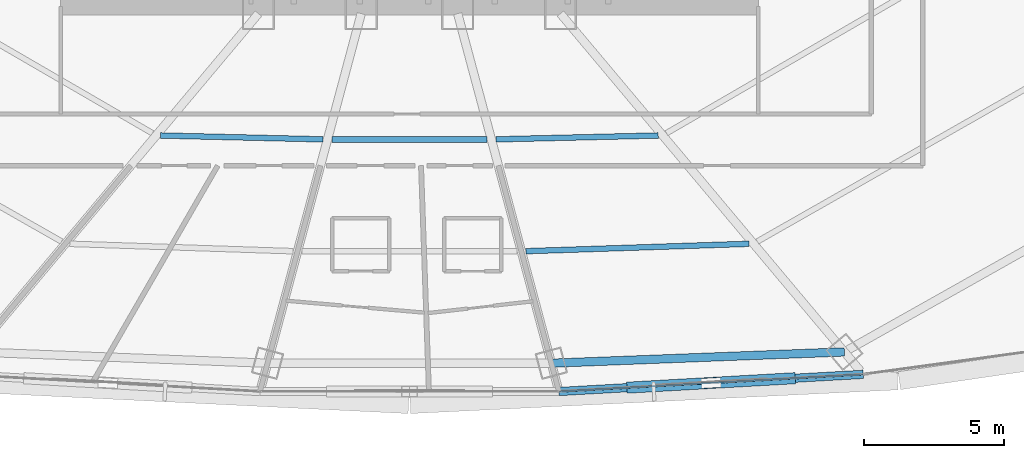
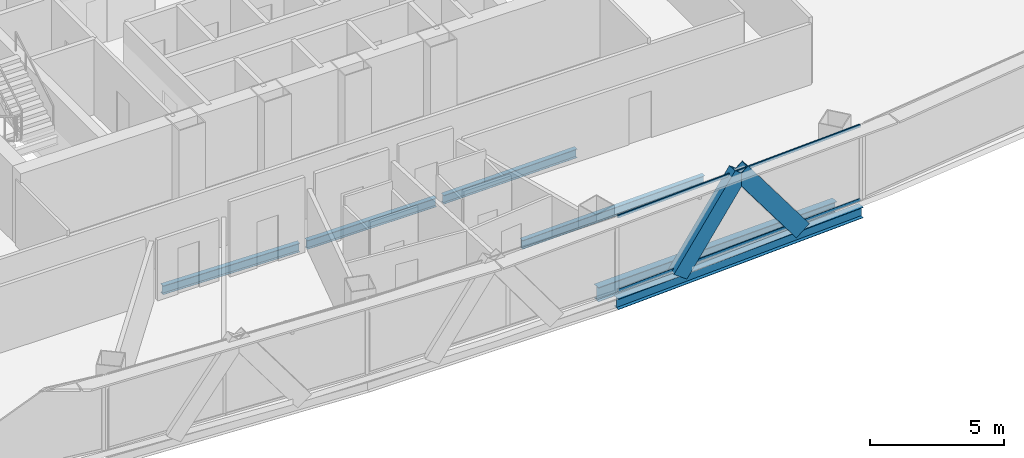
# One storey, part 13 of 39: 6 beams, 4 members, 1 element without a shape of its own.
"""IFC4 building model written with IfcOpenShell, lengths in metres."""

import ifcopenshell
import ifcopenshell.guid

model = None  # the IFC model being written
_history = None  # IfcOwnerHistory: only IFC2X3 demands one
_inside = {}  # id of a spatial element -> (the spatial element, [elements in it])
_under = {}  # id of a project, library or spatial element -> (it, [spatial elements below it])
_declared = {}  # id of a project -> (the project, [libraries it declares])
_typed = {}  # id of a type object -> (the type object, [elements of that type])
_made_of = {}  # id of a material, layer set ... -> (it, [elements and type objects made of it])


def new_model(schema):
    """Start an empty IFC model of exactly this schema.

    Asked for "IFC4X3", IfcOpenShell would pick the latest addendum, in which some entities
    have other attributes; the version numbers below select the first issue.
    IFC2X3 requires an IfcOwnerHistory on every rooted entity: one is made here for all.
    """
    global model, _history
    if schema == "IFC4X3":
        model = ifcopenshell.file(schema_version=(4, 3, 0, 0))
    else:
        model = ifcopenshell.file(schema=schema)
    _inside.clear()
    _under.clear()
    _declared.clear()
    _typed.clear()
    _made_of.clear()
    _history = None
    if model.schema == "IFC2X3":
        org = make("IfcOrganization", Name="unknown")
        user = make(
            "IfcPersonAndOrganization",
            ThePerson=make("IfcPerson", FamilyName="unknown"),
            TheOrganization=org,
        )
        app = make(
            "IfcApplication",
            ApplicationDeveloper=org,
            Version="unknown",
            ApplicationFullName="unknown",
            ApplicationIdentifier="unknown",
        )
        _history = make(
            "IfcOwnerHistory",
            OwningUser=user,
            OwningApplication=app,
            ChangeAction="ADDED",
            CreationDate=0,
        )
    return model


def make(cls, **values):
    """One entity of the class cls with the attributes given. An attribute that is None is left unset."""
    return model.create_entity(
        cls, **{name: value for name, value in values.items() if value is not None}
    )


def rooted(cls, **values):
    """An entity with a GlobalId (a new one), such as an element, a storey or a relation."""
    return make(cls, GlobalId=ifcopenshell.guid.new(), OwnerHistory=_history, **values)


def si_unit(unit_type, name, prefix=None):
    """IfcSIUnit, for example si_unit("LENGTHUNIT", "METRE", prefix="MILLI")."""
    return make("IfcSIUnit", UnitType=unit_type, Prefix=prefix, Name=name)


def assignment(units):
    """IfcUnitAssignment: the units of a project."""
    return None if units is None else make("IfcUnitAssignment", Units=units)


def point(xyz):
    """IfcCartesianPoint."""
    return None if xyz is None else make("IfcCartesianPoint", Coordinates=xyz)


def direction(xyz):
    """IfcDirection."""
    return None if xyz is None else make("IfcDirection", DirectionRatios=xyz)


def frame(location, z_axis=None, x_axis=None):
    """IfcAxis2Placement3D, a coordinate frame: its origin and axes. An axis left out is left unset."""
    return make(
        "IfcAxis2Placement3D",
        Location=point(location),
        Axis=direction(z_axis),
        RefDirection=direction(x_axis),
    )


def frame_2d(location, x_axis=None):
    """IfcAxis2Placement2D, a coordinate frame in the plane: its origin and x axis."""
    return make(
        "IfcAxis2Placement2D", Location=point(location), RefDirection=direction(x_axis)
    )


def origin():
    """The frame at (0, 0, 0) with its axes left unset."""
    return frame((0.0, 0.0, 0.0))


def origin_2d():
    """The frame at (0, 0) in the plane with its x axis left unset."""
    return frame_2d((0.0, 0.0))


def place(relative_to, where):
    """IfcLocalPlacement: puts the frame where relative to a parent placement (None: the world)."""
    return make(
        "IfcLocalPlacement", PlacementRelTo=relative_to, RelativePlacement=where
    )


def context(
    kind, dimensions, precision=None, world=None, true_north=None, identifier=None
):
    """IfcGeometricRepresentationContext, for example the 3D "Model" context."""
    return make(
        "IfcGeometricRepresentationContext",
        ContextIdentifier=identifier,
        ContextType=kind,
        CoordinateSpaceDimension=dimensions,
        Precision=precision,
        WorldCoordinateSystem=world,
        TrueNorth=true_north,
    )


def subcontext(parent, identifier, kind, view, scale=None):
    """IfcGeometricRepresentationSubContext, for example "Body" below "Model"."""
    return make(
        "IfcGeometricRepresentationSubContext",
        ContextIdentifier=identifier,
        ContextType=kind,
        ParentContext=parent,
        TargetScale=scale,
        TargetView=view,
    )


def project(units=None, contexts=None):
    """IfcProject with its units and contexts."""
    return rooted(
        "IfcProject",
        Name="project",
        RepresentationContexts=contexts,
        UnitsInContext=assignment(units),
    )


def spatial(cls, under=None, at=None, **own):
    """A site, building, storey or space (cls), placed at a placement, below another one or the project."""
    s = rooted(cls, ObjectPlacement=at, **own)
    if under is not None:
        _under.setdefault(under.id(), (under, []))[1].append(s)
    return s


def profile(cls, at=None, kind="AREA", **sizes):
    """A parametric profile (cls). Its sizes go by their IFC names, for example OverallWidth=200.0."""
    return make(cls, ProfileType=kind, Position=at, **sizes)


def hollow_rectangle(**sizes):
    """IfcRectangleHollowProfileDef."""
    return profile("IfcRectangleHollowProfileDef", **sizes)


def i_section(**sizes):
    """IfcIShapeProfileDef."""
    return profile("IfcIShapeProfileDef", **sizes)


def extrude(swept, where, along, depth):
    """IfcExtrudedAreaSolid: the profile swept, set in the frame where, extruded along a direction by depth."""
    return make(
        "IfcExtrudedAreaSolid",
        SweptArea=swept,
        Position=where,
        ExtrudedDirection=direction(along),
        Depth=depth,
    )


def shape(context_of_items, identifier, shape_type, items):
    """IfcShapeRepresentation: the items that make up one representation, for example the "Body"."""
    return make(
        "IfcShapeRepresentation",
        ContextOfItems=context_of_items,
        RepresentationIdentifier=identifier,
        RepresentationType=shape_type,
        Items=items,
    )


def source(mapping_origin, context_of_items, identifier, shape_type, items):
    """IfcRepresentationMap: a shape defined once, which mapped items show again and again."""
    return make(
        "IfcRepresentationMap",
        MappingOrigin=mapping_origin,
        MappedRepresentation=shape(context_of_items, identifier, shape_type, items),
    )


def transform(
    local_origin,
    x_axis=None,
    y_axis=None,
    z_axis=None,
    scale=None,
    scale2=None,
    scale3=None,
    uniform=True,
):
    """IfcCartesianTransformationOperator3D, or its non-uniform kind. x_axis, y_axis, z_axis: its Axis1, 2, 3."""
    if uniform:
        return make(
            "IfcCartesianTransformationOperator3D",
            Axis1=direction(x_axis),
            Axis2=direction(y_axis),
            LocalOrigin=point(local_origin),
            Scale=scale,
            Axis3=direction(z_axis),
        )
    return make(
        "IfcCartesianTransformationOperator3DnonUniform",
        Axis1=direction(x_axis),
        Axis2=direction(y_axis),
        LocalOrigin=point(local_origin),
        Scale=scale,
        Axis3=direction(z_axis),
        Scale2=scale2,
        Scale3=scale3,
    )


def mapped(mapping_source, mapping_target):
    """IfcMappedItem: shows the shape of a source again, moved by a transform."""
    return make(
        "IfcMappedItem", MappingSource=mapping_source, MappingTarget=mapping_target
    )


def material(Name=None, Category=None):
    """IfcMaterial."""
    return make("IfcMaterial", Name=Name, Category=Category)


def layer(
    of_material, thickness, ventilated=None, Name=None, Category=None, Priority=None
):
    """IfcMaterialLayer: one layer of a wall or slab, of a material (None: an air gap)."""
    return make(
        "IfcMaterialLayer",
        Material=of_material,
        LayerThickness=thickness,
        IsVentilated=ventilated,
        Name=Name,
        Category=Category,
        Priority=Priority,
    )


def layer_set(layers, Name=None):
    """IfcMaterialLayerSet."""
    return make("IfcMaterialLayerSet", MaterialLayers=layers, LayerSetName=Name)


def material_profile(
    of_material, cross_section, Name=None, Category=None, Priority=None
):
    """IfcMaterialProfile: a cross section and its material."""
    return make(
        "IfcMaterialProfile",
        Name=Name,
        Material=of_material,
        Profile=cross_section,
        Priority=Priority,
        Category=Category,
    )


def profile_set(profiles, Name=None, composite=None):
    """IfcMaterialProfileSet."""
    return make(
        "IfcMaterialProfileSet",
        Name=Name,
        MaterialProfiles=profiles,
        CompositeProfile=composite,
    )


def made_of(thing, what):
    """Note that an element or type object is made of a material, layer set ...; save() writes the relation."""
    if what is not None:
        _made_of.setdefault(what.id(), (what, []))[1].append(thing)
    return thing


def type_object(cls, material=None, **own):
    """A type object (cls), such as IfcWallType, which elements share."""
    return made_of(rooted(cls, **own), material)


def element(
    cls,
    number,
    at=None,
    inside=None,
    cuts=None,
    type_object=None,
    material=None,
    context=None,
    identifier="Body",
    shape_type=None,
    held_by="IfcProductDefinitionShape",
    body=None,
    shapes=None,
    **own,
):
    """One element of the class cls, such as IfcWall. Its Tag is "e" and its number.

    at: its placement. inside: the storey or other place that contains it. cuts: it is an
    opening in that element (IfcRelVoidsElement). A single representation is given by context,
    identifier, shape_type and body (its items); several are given by shapes. held_by: the class
    of the entity that holds the representations. save() writes the other relations.
    """
    e = rooted(cls, Tag="e%d" % number, ObjectPlacement=at, **own)
    if body is not None:
        shapes = [shape(context, identifier, shape_type, body)]
    if shapes is not None:
        e.Representation = make(held_by, Representations=shapes)
    if inside is not None:
        _inside.setdefault(inside.id(), (inside, []))[1].append(e)
    if cuts is not None:
        rooted(
            "IfcRelVoidsElement", RelatingBuildingElement=cuts, RelatedOpeningElement=e
        )
    if type_object is not None:
        _typed.setdefault(type_object.id(), (type_object, []))[1].append(e)
    return made_of(e, material)


def aggregate(whole, parts):
    """IfcRelAggregates: a whole, such as a stair, and the parts it consists of."""
    return rooted("IfcRelAggregates", RelatingObject=whole, RelatedObjects=parts)


def save(model, path):
    """Write the relations noted so far, then the file.

    IfcRelAggregates (storeys below a building ...), IfcRelContainedInSpatialStructure (elements
    in a storey), IfcRelDefinesByType, IfcRelAssociatesMaterial and IfcRelDeclares: one each for
    every whole, place, type object, material and project.
    """
    for whole, parts in _under.values():
        aggregate(whole, parts)
    for where, things in _inside.values():
        rooted(
            "IfcRelContainedInSpatialStructure",
            RelatedElements=things,
            RelatingStructure=where,
        )
    for kind, things in _typed.values():
        rooted("IfcRelDefinesByType", RelatedObjects=things, RelatingType=kind)
    for what, things in _made_of.values():
        rooted("IfcRelAssociatesMaterial", RelatedObjects=things, RelatingMaterial=what)
    for by, libraries in _declared.values():
        rooted("IfcRelDeclares", RelatingContext=by, RelatedDefinitions=libraries)
    model.write(path)


model = new_model("IFC4")

# Units and contexts
model_context = context("Model", 3, precision=1e-05, world=origin(), true_north=direction((0.0, 1.0)))
body_context = subcontext(model_context, "Body", "Model", "MODEL_VIEW")
ifc_project = project(units=[si_unit("LENGTHUNIT", "METRE"), si_unit("AREAUNIT", "SQUARE_METRE"), si_unit("VOLUMEUNIT", "CUBIC_METRE"), si_unit("PLANEANGLEUNIT", "RADIAN"), si_unit("MASSUNIT", "GRAM", prefix="KILO"), si_unit("THERMODYNAMICTEMPERATUREUNIT", "KELVIN"), si_unit("POWERUNIT", "WATT")], contexts=[model_context])

# Site, building, storey
site_placement = place(None, origin())
site = spatial("IfcSite", under=ifc_project, at=site_placement, CompositionType="ELEMENT")
building_placement = place(site_placement, origin())
building = spatial("IfcBuilding", under=site, at=building_placement, Name="Yunzhuo Pagoda Commons", CompositionType="ELEMENT")
storey_placement = place(building_placement, frame((0.0, 0.0, 162.949951171875)))
storey = spatial("IfcBuildingStorey", under=building, at=storey_placement, Name="L41", CompositionType="ELEMENT", Elevation=162.949951171875)

# Beams
ifc_material_1 = material(Name="Structural steel Q355B", Category="steel")
ifc_material_profile_1 = material_profile(ifc_material_1, i_section(OverallWidth=0.300048828125, OverallDepth=0.64990234375, WebThickness=0.012939453125, FlangeThickness=0.02197265625, at=origin_2d()), Name="Structural steel Q355B")
ifc_profile_set_1 = profile_set([ifc_material_profile_1], Name="Structural steel Q355B")
beam_type_1 = type_object("IfcBeamType", Name="B-RG2 Beam HN 650x300x13x22", PredefinedType="BEAM", material=ifc_profile_set_1)
shared_shape_1 = source(origin(), body_context, "Body", "SweptSolid", [
    extrude(i_section(OverallWidth=0.300048828125, OverallDepth=0.64990234375, WebThickness=0.012939453125, FlangeThickness=0.02197265625, at=origin_2d()), origin(), (0.0, 0.0, 1.0), 10.5078125),
])
beam_1_placement = place(storey_placement, frame((53.085205078125, 14.7216796875, -0.5849609375), z_axis=(0.999258632812, 0.03849915259, 0.0), x_axis=(-0.03849915259, 0.999258632812, 0.0)))
element("IfcBeam", 1, at=beam_1_placement, inside=storey, type_object=beam_type_1, Name="L41 column-ring beam 3", PredefinedType="BEAM", context=body_context, shape_type="MappedRepresentation", body=[
    mapped(shared_shape_1, transform((0.0, 0.0, 0.0), scale=1.0)),
])
ifc_material_profile_2 = material_profile(ifc_material_1, i_section(OverallWidth=0.199951171875, OverallDepth=0.39990234375, WebThickness=0.008056640625, FlangeThickness=0.012939453125, at=origin_2d()), Name="Structural steel Q355B")
ifc_profile_set_2 = profile_set([ifc_material_profile_2], Name="Structural steel Q355B")
beam_type_2 = type_object("IfcBeamType", Name="B-JS1 Joist HN 400x200x8x13", PredefinedType="JOIST", material=ifc_profile_set_2)
shared_shape_2 = source(origin(), body_context, "Body", "SweptSolid", [
    extrude(i_section(OverallWidth=0.199951171875, OverallDepth=0.39990234375, WebThickness=0.008056640625, FlangeThickness=0.012939453125, at=origin_2d()), origin(), (0.0, 0.0, 1.0), 5.821533203125),
])
for number, where, z_axis, x_axis, name in (
    (2, (39.08447265625, 22.881591796875, -0.4599609375), (0.999718239795, -0.023736912649, 0.0), (0.023736912649, 0.999718239795, 0.0), "L41 composite ring joist 1.1"),
    (3, (51.095703125, 22.743408203125, -0.4599609375), (0.999718239795, 0.023736912649, 0.0), (-0.023736912649, 0.999718239795, 0.0), "L41 composite ring joist 1.3"),
):
    element("IfcBeam", number, at=place(storey_placement, frame(where, z_axis=z_axis, x_axis=x_axis)), inside=storey, type_object=beam_type_2, Name=name, PredefinedType="JOIST", context=body_context, shape_type="MappedRepresentation", body=[
        mapped(shared_shape_2, transform((0.0, 0.0, 0.0), scale=1.0)),
    ])
shared_shape_3 = source(origin(), body_context, "Body", "SweptSolid", [
    extrude(i_section(OverallWidth=0.199951171875, OverallDepth=0.39990234375, WebThickness=0.008056640625, FlangeThickness=0.012939453125, at=origin_2d()), origin(), (0.0, 0.0, 1.0), 8.00537109375),
])
beam_2_placement = place(storey_placement, frame((52.169921875, 18.73583984375, -0.4599609375), z_axis=(0.999453403952, 0.033058937199, 0.0), x_axis=(-0.033058937199, 0.999453403952, 0.0)))
element("IfcBeam", 4, at=beam_2_placement, inside=storey, type_object=beam_type_2, Name="L41 composite ring joist 2.3", PredefinedType="JOIST", context=body_context, shape_type="MappedRepresentation", body=[
    mapped(shared_shape_3, transform((0.0, 0.0, 0.0), scale=1.0)),
])
shared_shape_4 = source(origin(), body_context, "Body", "SweptSolid", [
    extrude(i_section(OverallWidth=0.199951171875, OverallDepth=0.39990234375, WebThickness=0.008056640625, FlangeThickness=0.012939453125, at=origin_2d()), origin(), (0.0, 0.0, 1.0), 5.5556640625),
])
beam_3_placement = place(storey_placement, frame((45.22216796875, 22.73974609375, -0.4599609375), z_axis=(1.0, 0.0, 0.0), x_axis=(0.0, 1.0, 0.0)))
element("IfcBeam", 5, at=beam_3_placement, inside=storey, type_object=beam_type_2, Name="L41 composite ring joist 1.2", PredefinedType="JOIST", context=body_context, shape_type="MappedRepresentation", body=[
    mapped(shared_shape_4, transform((0.0, 0.0, 0.0), scale=1.0)),
])
ifc_material_profile_3 = material_profile(ifc_material_1, i_section(OverallWidth=0.300048828125, OverallDepth=0.488037109375, WebThickness=0.010986328125, FlangeThickness=0.01806640625, at=origin_2d()), Name="Structural steel Q355B")
ifc_profile_set_3 = profile_set([ifc_material_profile_3], Name="Structural steel Q355B")
beam_type_3 = type_object("IfcBeamType", Name="B-SP1 Beam HM 488x300x11x18", PredefinedType="BEAM", material=ifc_profile_set_3)
shared_shape_5 = source(origin(), body_context, "Body", "SweptSolid", [
    extrude(i_section(OverallWidth=0.300048828125, OverallDepth=0.488037109375, WebThickness=0.010986328125, FlangeThickness=0.01806640625, at=origin_2d()), origin(), (0.0, 0.0, 1.0), 10.920166015625),
])
beam_4_placement = place(storey_placement, frame((53.357177734375, 13.707275390625, -0.50390625), z_axis=(0.998412941388, 0.056316946557, 0.0), x_axis=(-0.056316946557, 0.998412941388, 0.0)))
element("IfcBeam", 6, at=beam_4_placement, inside=storey, type_object=beam_type_3, Name="L41 facade edge spandrel beam F1.3", PredefinedType="BEAM", context=body_context, shape_type="MappedRepresentation", body=[
    mapped(shared_shape_5, transform((0.0, 0.0, 0.0), scale=1.0)),
])

# Members
ifc_material_profile_4 = material_profile(ifc_material_1, hollow_rectangle(XDim=0.39990234375, YDim=0.719970703125, WallThickness=0.02392578125, at=origin_2d()), Name="Structural steel Q355B")
ifc_profile_set_4 = profile_set([ifc_material_profile_4], Name="Structural steel Q355B")
member_type_1 = type_object("IfcMemberType", Name="M-DL2 Brace BOX 720x400x24", PredefinedType="BRACE", material=ifc_profile_set_4)
shared_shape_6 = source(origin(), body_context, "Body", "SweptSolid", [
    extrude(hollow_rectangle(XDim=0.39990234375, YDim=0.719970703125, WallThickness=0.02392578125, at=origin_2d()), origin(), (0.0, 0.0, 1.0), 4.582275390625),
])
member_1_placement = place(storey_placement, frame((56.0830078125, 13.86083984375, -0.260009765625), z_axis=(0.594825863997, 0.033566848291, 0.803153446246), x_axis=(-0.05634174772, 0.998411542133, 0.0)))
element("IfcMember", 7, at=member_1_placement, inside=storey, type_object=member_type_1, Name="L41 facade diamond brace F1.3L", PredefinedType="BRACE", context=body_context, shape_type="MappedRepresentation", body=[
    mapped(shared_shape_6, transform((0.0, 0.0, 0.0), scale=1.0)),
])
shared_shape_7 = source(origin(), body_context, "Body", "SweptSolid", [
    extrude(hollow_rectangle(XDim=0.39990234375, YDim=0.719970703125, WallThickness=0.02392578125, at=origin_2d()), origin(), (0.0, 0.0, 1.0), 4.58203125),
])
member_2_placement = place(storey_placement, frame((61.5341796875, 14.168212890625, -0.260009765625), z_axis=(-0.594826926981, -0.03351362747, 0.803154881522), x_axis=(0.056252599591, -0.998416568893, 0.0)))
element("IfcMember", 8, at=member_2_placement, inside=storey, type_object=member_type_1, Name="L41 facade diamond brace F1.3R", PredefinedType="BRACE", context=body_context, shape_type="MappedRepresentation", body=[
    mapped(shared_shape_7, transform((0.0, 0.0, 0.0), scale=1.0)),
])

# Curtain wall, members
ifc_material_2 = material(Name="Anodized aluminium 6063-T6", Category="aluminium")
ifc_layer = layer(ifc_material_2, 0.14990234375)
ifc_layer_set = layer_set([ifc_layer], Name="Anodized aluminium 6063-T6")
curtain_wall_type = type_object("IfcCurtainWallType", Name="CW-MID Mid-Zone Ribbon Curtain Wall", PredefinedType="NOTDEFINED", material=ifc_layer_set)
curtain_wall_placement = place(storey_placement, origin())
curtain_wall = element("IfcCurtainWall", 9, at=curtain_wall_placement, inside=storey, type_object=curtain_wall_type, Name="L41 curtain wall CW-L41-F1B4", PredefinedType="NOTDEFINED")
ifc_material_profile_5 = material_profile(ifc_material_2, hollow_rectangle(XDim=0.054931640625, YDim=0.1298828125, WallThickness=0.00341796875, at=origin_2d()), Name="Anodized aluminium 6063-T6")
ifc_profile_set_5 = profile_set([ifc_material_profile_5], Name="Anodized aluminium 6063-T6")
member_type_2 = type_object("IfcMemberType", Name="CW-MID-T Transom RHS 130x55x3.5", PredefinedType="USERDEFINED", material=ifc_profile_set_5)
shared_shape_8 = source(origin(), body_context, "Body", "SweptSolid", [
    extrude(hollow_rectangle(XDim=0.054931640625, YDim=0.1298828125, WallThickness=0.00341796875, at=origin_2d()), origin(), (0.0, 0.0, 1.0), 10.80029296875),
])
member_3_placement = place(storey_placement, frame((53.4169921875, 13.710693359375, 0.027587890625), z_axis=(0.998413399978, 0.05630881587, 0.0), x_axis=(-0.05630881587, 0.998413399978, 0.0)))
member_3 = element("IfcMember", 10, at=member_3_placement, type_object=member_type_2, Name="CW transom 1.1", ObjectType="TRANSOM", PredefinedType="USERDEFINED", context=body_context, shape_type="MappedRepresentation", body=[
    mapped(shared_shape_8, transform((0.0, 0.0, 0.0), scale=1.0)),
])
member_4_placement = place(storey_placement, frame((53.4169921875, 13.710693359375, 3.392578125), z_axis=(0.998413399978, 0.05630881587, 0.0), x_axis=(-0.05630881587, 0.998413399978, 0.0)))
member_4 = element("IfcMember", 11, at=member_4_placement, type_object=member_type_2, Name="CW transom 1.2", ObjectType="TRANSOM", PredefinedType="USERDEFINED", context=body_context, shape_type="MappedRepresentation", body=[
    mapped(shared_shape_8, transform((0.0, 0.0, 0.0), scale=1.0)),
])
aggregate(curtain_wall, [member_3, member_4])

save(model, "model.ifc")
